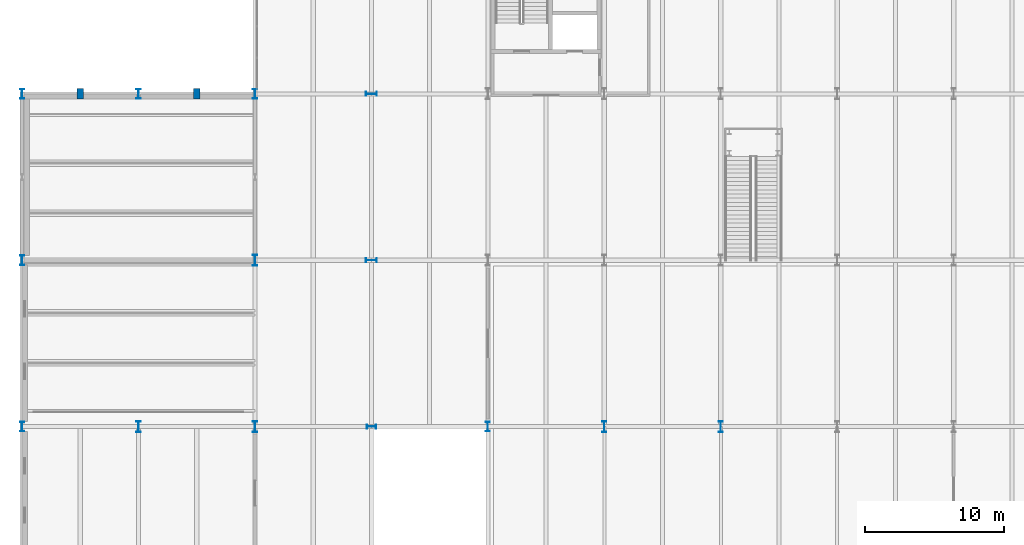
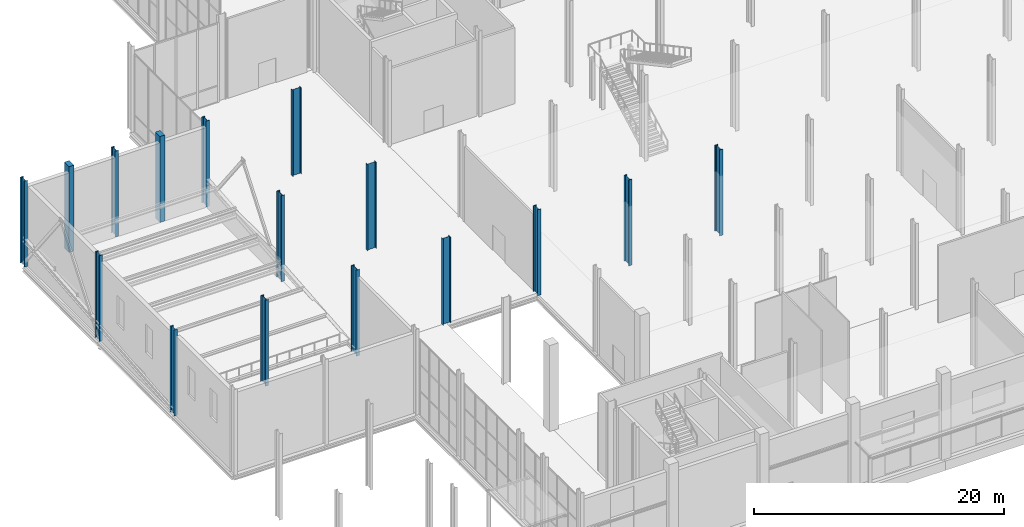
# One storey, part 3 of 131: 16 columns.
"""IFC4 building model written with IfcOpenShell, lengths in metres."""

from ifc_helpers import new_model, si_unit, direction, frame, origin, origin_2d, place, context, subcontext, project, spatial, rectangle, i_section, extrude, material, material_profile, profile_set, type_object, element, save


model = new_model("IFC4")

# Units and contexts
model_context = context("Model", 3, precision=1e-05, world=origin(), true_north=direction((0.0, 1.0)))
body_context = subcontext(model_context, "Body", "Model", "MODEL_VIEW")
ifc_project = project(units=[si_unit("LENGTHUNIT", "METRE"), si_unit("AREAUNIT", "SQUARE_METRE"), si_unit("VOLUMEUNIT", "CUBIC_METRE"), si_unit("PLANEANGLEUNIT", "RADIAN"), si_unit("MASSUNIT", "GRAM", prefix="KILO")], contexts=[model_context])

# Site, building, storey
site_placement = place(None, origin())
site = spatial("IfcSite", under=ifc_project, at=site_placement, CompositionType="ELEMENT")
building_placement = place(site_placement, origin())
building = spatial("IfcBuilding", under=site, at=building_placement, Name="Veltarok Museum of Natural Sciences", CompositionType="ELEMENT")
storey_placement = place(building_placement, origin())
storey = spatial("IfcBuildingStorey", under=building, at=storey_placement, Name="L00", CompositionType="ELEMENT", Elevation=0.0)

# Columns
ifc_material_1 = material(Name="Concrete C40/50", Category="concrete")
ifc_material_profile_1 = material_profile(ifc_material_1, rectangle(XDim=0.449951171875, YDim=0.75, at=origin_2d()), Name="RC 450x750")
ifc_profile_set_1 = profile_set([ifc_material_profile_1], Name="Concrete C40/50")
column_type_1 = type_object("IfcColumnType", Name="Cabinet Facade Pilaster RC 450x750", PredefinedType="PILASTER", material=ifc_profile_set_1)
for number, where, z_axis, x_axis, name in (
    (1, (10.60009765625, 60.0, 0.0), (0.0, 0.0, 1.0), (1.0, 0.0, 0.0), "Auditorium North Pilaster L00-1"),
    (2, (19.0, 60.0, 0.0), (0.0, 0.0, 1.0), (1.0, 0.0, 0.0), "Auditorium North Pilaster L00-2"),
):
    element("IfcColumn", number, at=place(storey_placement, frame(where, z_axis=z_axis, x_axis=x_axis)), inside=storey, type_object=column_type_1, Name=name, PredefinedType="PILASTER", context=body_context, shape_type="SweptSolid", body=[
        extrude(rectangle(XDim=0.449951171875, YDim=0.75, at=origin_2d()), origin(), (0.0, 0.0, 1.0), 8.39990234375),
    ])
ifc_material_2 = material(Name="Steel S355J2", Category="steel")
ifc_material_profile_2 = material_profile(ifc_material_2, i_section(OverallWidth=0.300048828125, OverallDepth=0.699951171875, WebThickness=0.01708984375, FlangeThickness=0.031982421875, FilletRadius=0.027099609375, at=origin_2d()), Name="HEB 700")
ifc_profile_set_2 = profile_set([ifc_material_profile_2], Name="Steel S355J2")
column_type_2 = type_object("IfcColumnType", Name="Perimeter Steel Column HEB 700", PredefinedType="COLUMN", material=ifc_profile_set_2)
for number, where, z_axis, x_axis, name in (
    (3, (6.39990234375, 36.0, 0.0), (0.0, 0.0, 1.0), (1.0, 0.0, 0.0), "Column COL-EXT01 L00 1/E"),
    (4, (6.39990234375, 48.0, 0.0), (0.0, 0.0, 1.0), (1.0, 0.0, 0.0), "Column COL-EXT01 L00 1/F"),
    (5, (6.39990234375, 60.0, 0.0), (0.0, 0.0, 1.0), (1.0, 0.0, 0.0), "Column COL-EXT01 L00 1/G"),
    (6, (14.800048828125, 60.0, 0.0), (0.0, 0.0, 1.0), (1.0, 0.0, 0.0), "Column COL-EXT01 L00 2/G"),
    (7, (23.199951171875, 60.0, 0.0), (0.0, 0.0, 1.0), (1.0, 0.0, 0.0), "Column COL-EXT01 L00 3/G"),
    (8, (31.60009765625, 36.0, 0.0), (0.0, 0.0, 1.0), (0.0, 1.0, 0.0), "Column COL-EXT01 L00 4/E"),
    (9, (40.0, 36.0, 0.0), (0.0, 0.0, 1.0), (1.0, 0.0, 0.0), "Column COL-EXT01 L00 5/E"),
):
    element("IfcColumn", number, at=place(storey_placement, frame(where, z_axis=z_axis, x_axis=x_axis)), inside=storey, type_object=column_type_2, Name=name, PredefinedType="COLUMN", context=body_context, shape_type="SweptSolid", body=[
        extrude(i_section(OverallWidth=0.300048828125, OverallDepth=0.699951171875, WebThickness=0.01708984375, FlangeThickness=0.031982421875, FilletRadius=0.027099609375, at=origin_2d()), origin(), (0.0, 0.0, 1.0), 8.39990234375),
    ])
ifc_material_profile_3 = material_profile(ifc_material_2, i_section(OverallWidth=0.300048828125, OverallDepth=0.800048828125, WebThickness=0.017578125, FlangeThickness=0.032958984375, FilletRadius=0.030029296875, at=origin_2d()), Name="HEB 800")
ifc_profile_set_3 = profile_set([ifc_material_profile_3], Name="Steel S355J2")
column_type_3 = type_object("IfcColumnType", Name="Primary Frame Column HEB 800", PredefinedType="COLUMN", material=ifc_profile_set_3)
for number, where, z_axis, x_axis, name in (
    (10, (14.800048828125, 36.0, 0.0), (0.0, 0.0, 1.0), (1.0, 0.0, 0.0), "Column COL-S02 L00 2/E"),
    (11, (23.199951171875, 36.0, 0.0), (0.0, 0.0, 1.0), (1.0, 0.0, 0.0), "Column COL-S02 L00 3/E"),
    (12, (23.199951171875, 48.0, 0.0), (0.0, 0.0, 1.0), (1.0, 0.0, 0.0), "Column COL-S02 L00 3/F"),
    (13, (31.60009765625, 48.0, 0.0), (0.0, 0.0, 1.0), (0.0, 1.0, 0.0), "Column COL-S02 L00 4/F"),
    (14, (31.60009765625, 60.0, 0.0), (0.0, 0.0, 1.0), (0.0, 1.0, 0.0), "Column COL-S02 L00 4/G"),
    (15, (48.39990234375, 36.0, 0.0), (0.0, 0.0, 1.0), (1.0, 0.0, 0.0), "Column COL-S02 L00 6/E"),
    (16, (56.800048828125, 36.0, 0.0), (0.0, 0.0, 1.0), (1.0, 0.0, 0.0), "Column COL-S02 L00 7/E"),
):
    element("IfcColumn", number, at=place(storey_placement, frame(where, z_axis=z_axis, x_axis=x_axis)), inside=storey, type_object=column_type_3, Name=name, PredefinedType="COLUMN", context=body_context, shape_type="SweptSolid", body=[
        extrude(i_section(OverallWidth=0.300048828125, OverallDepth=0.800048828125, WebThickness=0.017578125, FlangeThickness=0.032958984375, FilletRadius=0.030029296875, at=origin_2d()), origin(), (0.0, 0.0, 1.0), 8.39990234375),
    ])

save(model, "model.ifc")
